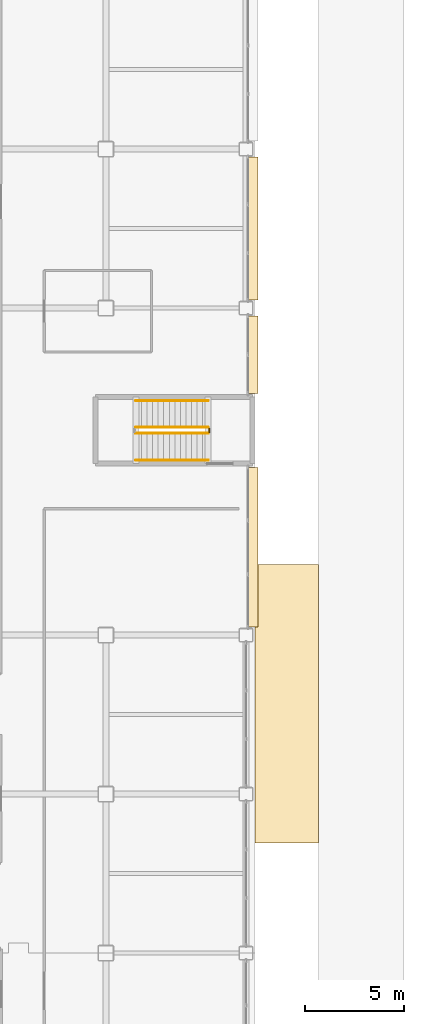
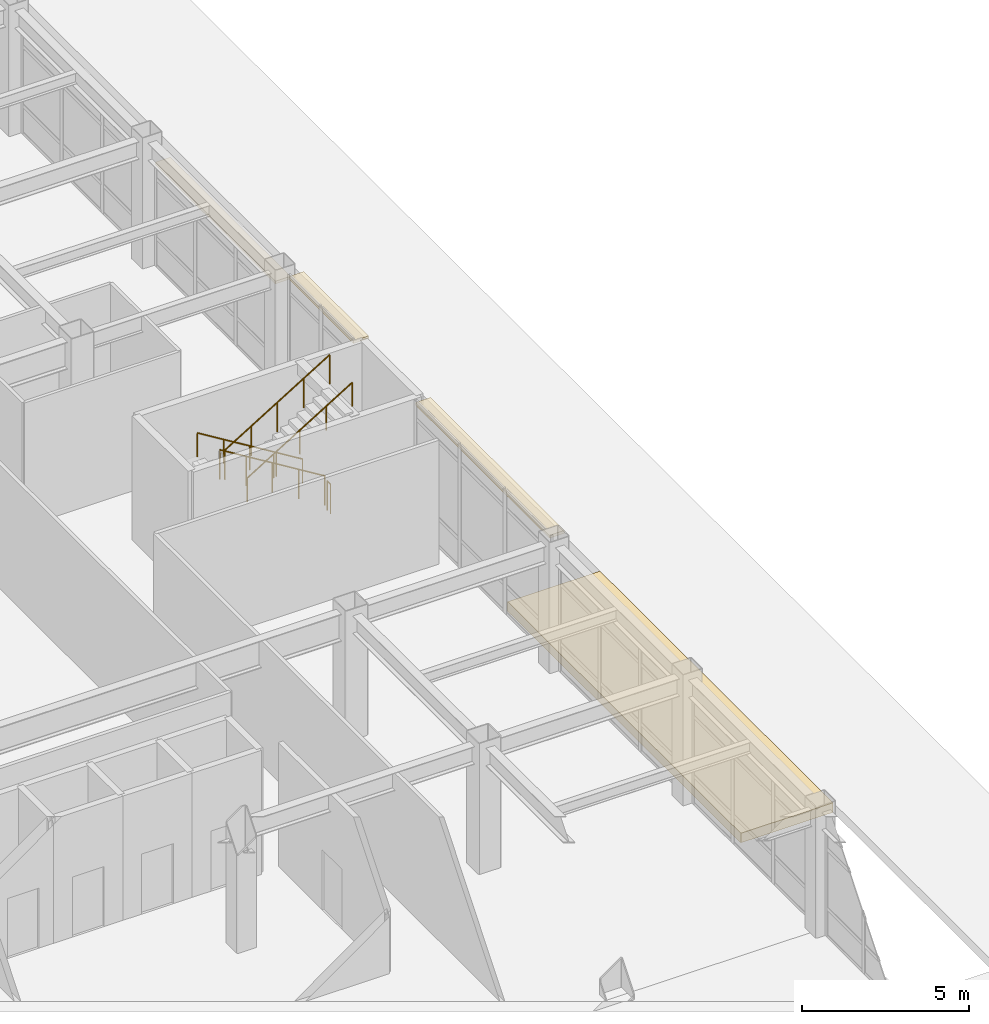
# One storey, part 171 of 172: 5 railings, 4 coverings.
"""IFC4 building model written with IfcOpenShell, lengths in metres."""

from ifc_helpers import new_model, si_unit, direction, frame, origin, origin_2d, place, context, subcontext, project, spatial, polyline, rectangle, circle, outline, extrude, material, layer, layer_set, type_object, element, save


model = new_model("IFC4")

# Units and contexts
model_context = context("Model", 3, precision=1e-05, world=origin(), true_north=direction((0.0, 1.0)))
body_context = subcontext(model_context, "Body", "Model", "MODEL_VIEW")
ifc_project = project(units=[si_unit("LENGTHUNIT", "METRE"), si_unit("AREAUNIT", "SQUARE_METRE"), si_unit("VOLUMEUNIT", "CUBIC_METRE"), si_unit("PLANEANGLEUNIT", "RADIAN"), si_unit("MASSUNIT", "GRAM", prefix="KILO")], contexts=[model_context])

# Site, building, storey
site_placement = place(None, origin())
site = spatial("IfcSite", under=ifc_project, at=site_placement, CompositionType="ELEMENT")
building_placement = place(site_placement, origin())
building = spatial("IfcBuilding", under=site, at=building_placement, Name="Kazehara Bluff Congress Hotel", CompositionType="ELEMENT")
storey_placement = place(building_placement, frame((0.0, 0.0, 5.39990234375)))
storey = spatial("IfcBuildingStorey", under=building, at=storey_placement, Name="L01", CompositionType="ELEMENT", Elevation=5.39990234375)

# Coverings
ifc_material_1 = material(Name="Anodised aluminium architectural brise-soleil", Category="aluminium")
ifc_layer_1 = layer(ifc_material_1, 0.10009765625)
ifc_layer_set_1 = layer_set([ifc_layer_1], Name="Anodised aluminium architectural brise-soleil")
covering_type_1 = type_object("IfcCoveringType", Name="TP-FAC-FIN", PredefinedType="CLADDING", material=ifc_layer_set_1)
covering_1_placement = place(storey_placement, frame((167.889892578125, 68.8701171875, 4.364990234375), z_axis=(0.0, 0.0, 1.0), x_axis=(1.0, 0.0, 0.0)))
element("IfcCovering", 1, at=covering_1_placement, inside=storey, type_object=covering_type_1, Name="L01 V5 architectural sun-hood 60", PredefinedType="CLADDING", context=body_context, shape_type="SweptSolid", body=[
    extrude(rectangle(XDim=0.52001953125, YDim=8.0400390625, at=origin_2d()), origin(), (0.0, 0.0, 1.0), 0.10009765625),
])
covering_2_placement = place(storey_placement, frame((167.889892578125, 78.554931640625, 4.364990234375), z_axis=(0.0, 0.0, 1.0), x_axis=(1.0, 0.0, 0.0)))
element("IfcCovering", 2, at=covering_2_placement, inside=storey, type_object=covering_type_1, Name="L01 V5 architectural sun-hood 61", PredefinedType="CLADDING", context=body_context, shape_type="SweptSolid", body=[
    extrude(rectangle(XDim=0.52001953125, YDim=3.889892578125, at=origin_2d()), origin(), (0.0, 0.0, 1.0), 0.10009765625),
])
covering_3_placement = place(storey_placement, frame((167.889892578125, 84.89990234375, 3.705078125), z_axis=(0.0, 0.0, 1.0), x_axis=(1.0, 0.0, 0.0)))
element("IfcCovering", 3, at=covering_3_placement, inside=storey, type_object=covering_type_1, Name="L01 V5 architectural sun-hood 62", PredefinedType="CLADDING", context=body_context, shape_type="SweptSolid", body=[
    extrude(rectangle(XDim=0.52001953125, YDim=7.199951171875, at=origin_2d()), origin(), (0.0, 0.0, 1.0), 0.10009765625),
])

# Railings
ifc_material_2 = material(Name="Brushed stainless steel", Category="steel")
railing_type_1 = type_object("IfcRailingType", Name="TP-GRD-INT", PredefinedType="GUARDRAIL", material=ifc_material_2)
railing_1_placement = place(storey_placement, frame((165.64990234375, 74.89990234375, 0.171630859375)))
element("IfcRailing", 4, at=railing_1_placement, inside=storey, type_object=railing_type_1, Name="L01 ST-12 stair guard 1", PredefinedType="GUARDRAIL", context=body_context, shape_type="SweptSolid", body=[
    extrude(circle(Radius=0.02392578125, at=origin_2d()), frame((0.0, 0.0, 1.076171875), z_axis=(-0.852850264322, 0.0, 0.5221555579), x_axis=(0.0, -1.0, 0.0)), (0.0, 0.0, 1.0), 4.267822265625),
    extrude(circle(Radius=0.02099609375, at=origin_2d()), origin(), (0.0, 0.0, 1.0), 1.052001953125),
    extrude(circle(Radius=0.02099609375, at=origin_2d()), frame((-0.909912109375, 0.0, 0.55712890625)), (0.0, 0.0, 1.0), 1.052001953125),
    extrude(circle(Radius=0.02099609375, at=origin_2d()), frame((-1.81982421875, 0.0, 1.1142578125)), (0.0, 0.0, 1.0), 1.052001953125),
    extrude(circle(Radius=0.02099609375, at=origin_2d()), frame((-2.72998046875, 0.0, 1.67138671875)), (0.0, 0.0, 1.0), 1.052001953125),
    extrude(circle(Radius=0.02099609375, at=origin_2d()), frame((-3.639892578125, 0.0, 2.228515625)), (0.0, 0.0, 1.0), 1.052001953125),
])
railing_2_placement = place(storey_placement, frame((162.010009765625, 74.60009765625, 2.571533203125)))
element("IfcRailing", 5, at=railing_2_placement, inside=storey, type_object=railing_type_1, Name="L01 ST-12 stair guard 3", PredefinedType="GUARDRAIL", context=body_context, shape_type="SweptSolid", body=[
    extrude(circle(Radius=0.02392578125, at=origin_2d()), frame((0.0, 0.0, 1.076171875), z_axis=(0.852850264322, 0.0, 0.5221555579), x_axis=(0.0, 1.0, 0.0)), (0.0, 0.0, 1.0), 4.267822265625),
    extrude(circle(Radius=0.02099609375, at=origin_2d()), origin(), (0.0, 0.0, 1.0), 1.052001953125),
    extrude(circle(Radius=0.02099609375, at=origin_2d()), frame((0.909912109375, 0.0, 0.55712890625)), (0.0, 0.0, 1.0), 1.052001953125),
    extrude(circle(Radius=0.02099609375, at=origin_2d()), frame((1.81982421875, 0.0, 1.1142578125)), (0.0, 0.0, 1.0), 1.052001953125),
    extrude(circle(Radius=0.02099609375, at=origin_2d()), frame((2.72998046875, 0.0, 1.67138671875)), (0.0, 0.0, 1.0), 1.052001953125),
    extrude(circle(Radius=0.02099609375, at=origin_2d()), frame((3.639892578125, 0.0, 2.228515625)), (0.0, 0.0, 1.0), 1.052001953125),
])
railing_3_placement = place(storey_placement, frame((165.699951171875, 74.85009765625, 0.0)))
element("IfcRailing", 6, at=railing_3_placement, inside=storey, type_object=railing_type_1, Name="L01 ST-12 stair guard 4", PredefinedType="GUARDRAIL", context=body_context, shape_type="SweptSolid", body=[
    extrude(circle(Radius=0.02392578125, at=origin_2d()), frame((0.0, 0.0, 1.076171875), z_axis=(0.0, -1.0, 0.0), x_axis=(1.0, 0.0, 0.0)), (0.0, 0.0, 1.0), 0.2001953125),
    extrude(circle(Radius=0.02099609375, at=origin_2d()), origin(), (0.0, 0.0, 1.0), 1.052001953125),
    extrude(circle(Radius=0.02099609375, at=origin_2d()), frame((0.0, -0.2001953125, 0.0)), (0.0, 0.0, 1.0), 1.052001953125),
])
ifc_material_3 = material(Name="Brushed stainless steel", Category="steel")
railing_type_2 = type_object("IfcRailingType", Name="TP-HR-INT", PredefinedType="HANDRAIL", material=ifc_material_3)
railing_4_placement = place(storey_placement, frame((165.64990234375, 76.25, 0.171630859375)))
element("IfcRailing", 7, at=railing_4_placement, inside=storey, type_object=railing_type_2, Name="L01 ST-12 stair handrail 1", PredefinedType="HANDRAIL", context=body_context, shape_type="SweptSolid", body=[
    extrude(circle(Radius=0.02392578125, at=origin_2d()), frame((0.0, 0.0, 0.8759765625), z_axis=(-0.852850264322, 0.0, 0.5221555579), x_axis=(0.0, -1.0, 0.0)), (0.0, 0.0, 1.0), 4.267822265625),
    extrude(circle(Radius=0.02099609375, at=origin_2d()), origin(), (0.0, 0.0, 1.0), 0.851806640625),
    extrude(circle(Radius=0.02099609375, at=origin_2d()), frame((-0.909912109375, 0.0, 0.55712890625)), (0.0, 0.0, 1.0), 0.851806640625),
    extrude(circle(Radius=0.02099609375, at=origin_2d()), frame((-1.81982421875, 0.0, 1.1142578125)), (0.0, 0.0, 1.0), 0.851806640625),
    extrude(circle(Radius=0.02099609375, at=origin_2d()), frame((-2.72998046875, 0.0, 1.67138671875)), (0.0, 0.0, 1.0), 0.851806640625),
    extrude(circle(Radius=0.02099609375, at=origin_2d()), frame((-3.639892578125, 0.0, 2.228515625)), (0.0, 0.0, 1.0), 0.851806640625),
])
railing_5_placement = place(storey_placement, frame((162.010009765625, 73.25, 2.571533203125)))
element("IfcRailing", 8, at=railing_5_placement, inside=storey, type_object=railing_type_2, Name="L01 ST-12 stair handrail 2", PredefinedType="HANDRAIL", context=body_context, shape_type="SweptSolid", body=[
    extrude(circle(Radius=0.02392578125, at=origin_2d()), frame((0.0, 0.0, 0.8759765625), z_axis=(0.852850264322, 0.0, 0.5221555579), x_axis=(0.0, 1.0, 0.0)), (0.0, 0.0, 1.0), 4.267822265625),
    extrude(circle(Radius=0.02099609375, at=origin_2d()), origin(), (0.0, 0.0, 1.0), 0.851806640625),
    extrude(circle(Radius=0.02099609375, at=origin_2d()), frame((0.909912109375, 0.0, 0.55712890625)), (0.0, 0.0, 1.0), 0.851806640625),
    extrude(circle(Radius=0.02099609375, at=origin_2d()), frame((1.81982421875, 0.0, 1.1142578125)), (0.0, 0.0, 1.0), 0.851806640625),
    extrude(circle(Radius=0.02099609375, at=origin_2d()), frame((2.72998046875, 0.0, 1.67138671875)), (0.0, 0.0, 1.0), 0.851806640625),
    extrude(circle(Radius=0.02099609375, at=origin_2d()), frame((3.639892578125, 0.0, 2.228515625)), (0.0, 0.0, 1.0), 0.851806640625),
])

# Covering
ifc_material_4 = material(Name="Granite stone site paving", Category="masonry")
ifc_layer_2 = layer(ifc_material_4, 0.35009765625)
ifc_layer_set_2 = layer_set([ifc_layer_2], Name="Granite stone site paving")
covering_type_2 = type_object("IfcCoveringType", Name="TP-SITE-PAV", PredefinedType="FLOORING", material=ifc_layer_set_2)
covering_4_placement = place(storey_placement, frame((0.0, 0.0, -0.349853515625)))
element("IfcCovering", 9, at=covering_4_placement, inside=storey, type_object=covering_type_2, Name="Osaka bluff granite site terrace PAV-EAST-BRG2", PredefinedType="FLOORING", context=body_context, shape_type="SweptSolid", body=[
    extrude(outline(polyline([(168.0, 54.0), (171.199951171875, 54.0), (171.199951171875, 68.0), (168.0, 68.0), (168.0, 54.0)])), origin(), (0.0, 0.0, 1.0), 0.349853515625),
])

save(model, "model.ifc")
